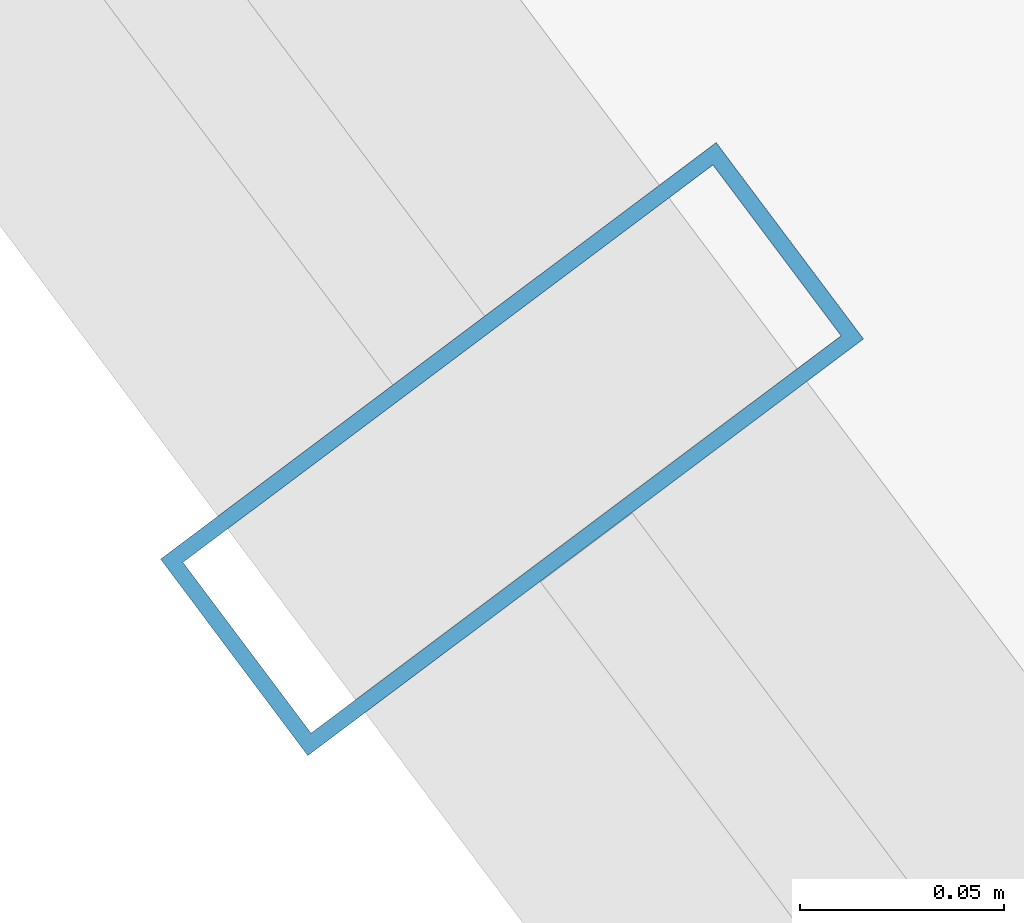
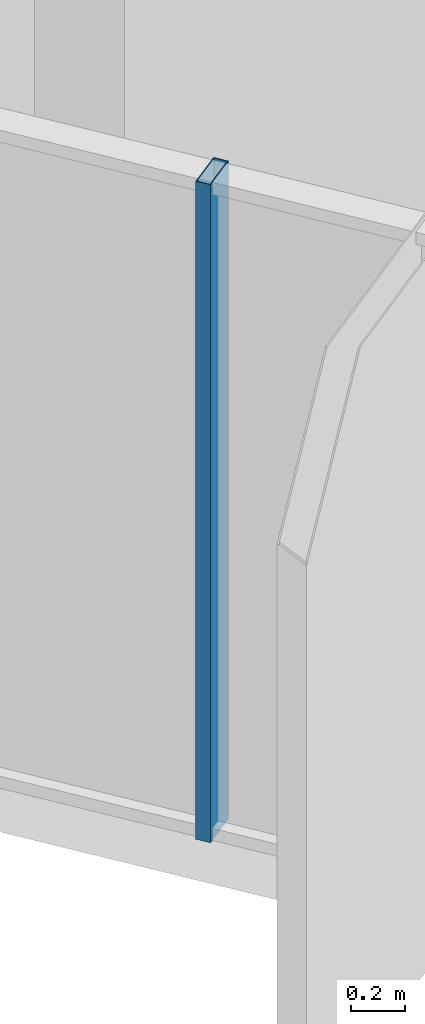
# One storey, part 4 of 37: 1 member, 1 element without a shape of its own.
"""IFC4 building model written with IfcOpenShell, lengths in metres."""

from ifc_helpers import new_model, si_unit, direction, frame, origin, origin_2d, place, context, subcontext, project, spatial, hollow_rectangle, extrude, source, transform, mapped, material, layer, layer_set, material_profile, profile_set, type_object, element, aggregate, save


model = new_model("IFC4")

# Units and contexts
model_context = context("Model", 3, precision=1e-05, world=origin(), true_north=direction((0.0, 1.0)))
body_context = subcontext(model_context, "Body", "Model", "MODEL_VIEW")
ifc_project = project(units=[si_unit("LENGTHUNIT", "METRE"), si_unit("AREAUNIT", "SQUARE_METRE"), si_unit("VOLUMEUNIT", "CUBIC_METRE"), si_unit("PLANEANGLEUNIT", "RADIAN"), si_unit("MASSUNIT", "GRAM", prefix="KILO")], contexts=[model_context])

# Site, building, storey
site_placement = place(None, origin())
site = spatial("IfcSite", under=ifc_project, at=site_placement, CompositionType="ELEMENT")
building_placement = place(site_placement, origin())
building = spatial("IfcBuilding", under=site, at=building_placement, Name="Veraguas Prism Commons", CompositionType="ELEMENT")
storey_placement = place(building_placement, frame((0.0, 0.0, 46.800048828125)))
storey = spatial("IfcBuildingStorey", under=building, at=storey_placement, Name="L12", CompositionType="ELEMENT", Elevation=46.800048828125)

# Curtain wall, member
ifc_material = material(Name="Anodised aluminium EN AW-6063 T6", Category="aluminium")
ifc_layer = layer(ifc_material, 0.169921875, Name="Unitised Flush Curtain Wall Zone 1", Category="aluminium")
ifc_layer_set = layer_set([ifc_layer], Name="Anodised aluminium EN AW-6063 T6")
curtain_wall_type = type_object("IfcCurtainWallType", Name="Unitised Flush Curtain Wall Zone 1", PredefinedType="NOTDEFINED", material=ifc_layer_set)
curtain_wall_placement = place(storey_placement, origin())
curtain_wall = element("IfcCurtainWall", 1, at=curtain_wall_placement, inside=storey, type_object=curtain_wall_type, Name="Tower Facade Curtain Wall L12-F4", PredefinedType="NOTDEFINED")
ifc_material_profile = material_profile(ifc_material, hollow_rectangle(XDim=0.06005859375, YDim=0.169921875, WallThickness=0.00390625, at=origin_2d()), Name="AL60X170X4")
ifc_profile_set = profile_set([ifc_material_profile], Name="Anodised aluminium EN AW-6063 T6")
member_type = type_object("IfcMemberType", Name="Curtain Wall Mullion Lower AL 60x170x4", PredefinedType="MULLION", material=ifc_profile_set)
shared_shape = source(origin(), body_context, "Body", "SweptSolid", [
    extrude(hollow_rectangle(XDim=0.06005859375, YDim=0.169921875, WallThickness=0.00390625, at=origin_2d()), origin(), (0.0, 0.0, 1.0), 3.0),
])
member_placement = place(storey_placement, frame((4.568115234375, 15.269287109375, 0.0), z_axis=(0.0, 0.0, 1.0), x_axis=(0.599861793842, -0.800103635968, 0.0)))
member = element("IfcMember", 2, at=member_placement, type_object=member_type, Name="CW-Z1 Mullion 2", PredefinedType="MULLION", context=body_context, shape_type="MappedRepresentation", body=[
    mapped(shared_shape, transform((0.0, 0.0, 0.0), scale=1.0)),
])
aggregate(curtain_wall, [member])

save(model, "model.ifc")
